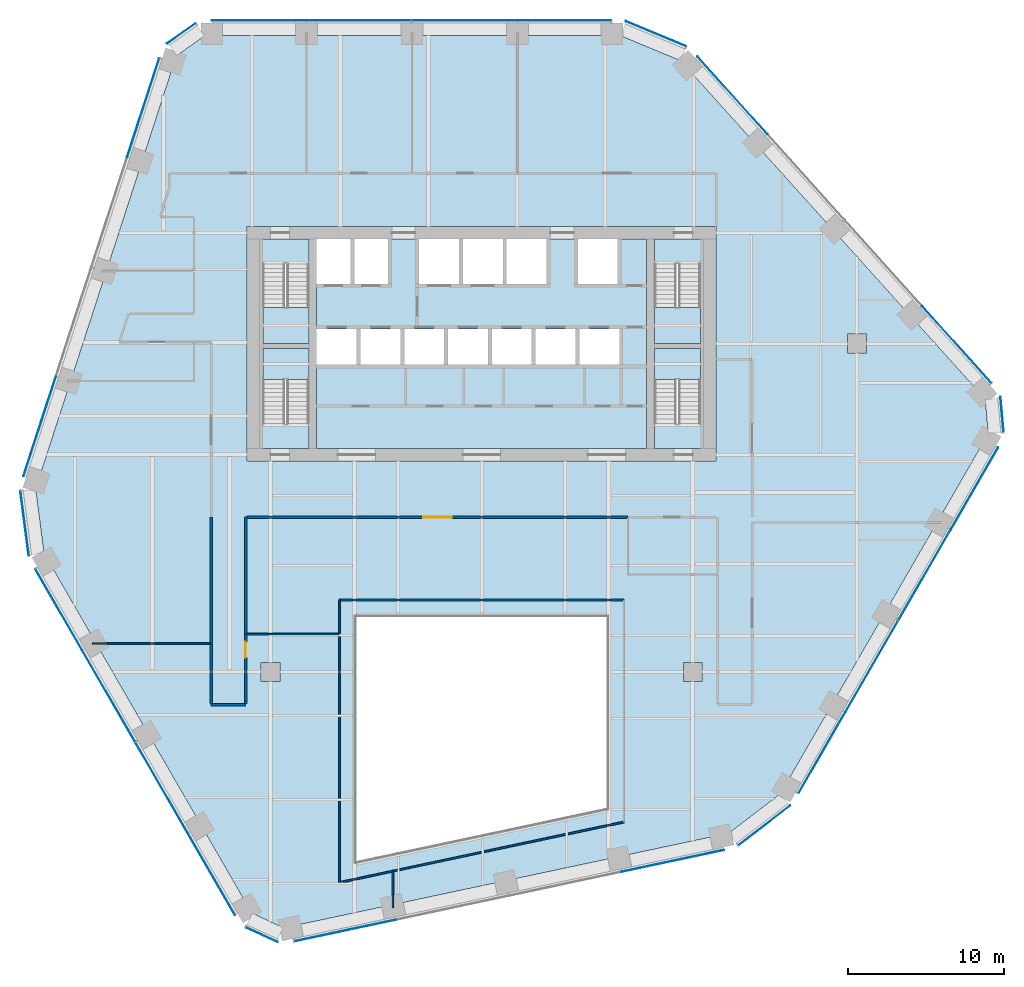
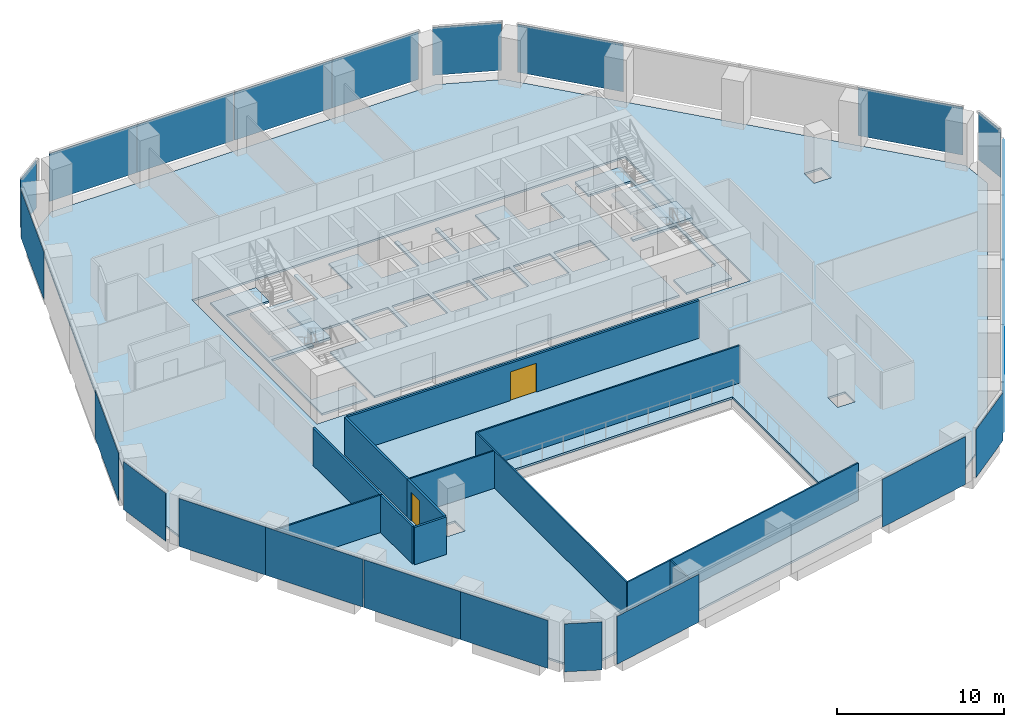
# One storey, part 10 of 16: 24 plates, 12 walls, 8 slabs, 2 doors, 2 openings, 16 elements without a shape of their own.
"""IFC4 building model written with IfcOpenShell, lengths in metres."""

from ifc_helpers import new_model, si_unit, direction, frame, frame_2d, origin, origin_2d, place, context, subcontext, project, spatial, polyline, rectangle, outline, extrude, material, layer, layer_set, type_object, element, fill, aggregate, save


model = new_model("IFC4")

# Units and contexts
model_context = context("Model", 3, precision=1e-05, world=origin(), true_north=direction((0.0, 1.0)))
body_context = subcontext(model_context, "Body", "Model", "MODEL_VIEW")
ifc_project = project(units=[si_unit("LENGTHUNIT", "METRE"), si_unit("AREAUNIT", "SQUARE_METRE"), si_unit("VOLUMEUNIT", "CUBIC_METRE"), si_unit("PLANEANGLEUNIT", "RADIAN"), si_unit("MASSUNIT", "GRAM", prefix="KILO")], contexts=[model_context])

# Site, building, storey
site_placement = place(None, origin())
site = spatial("IfcSite", under=ifc_project, at=site_placement, CompositionType="ELEMENT")
building_placement = place(site_placement, origin())
building = spatial("IfcBuilding", under=site, at=building_placement, Name="Isthmus Gate Tower", CompositionType="ELEMENT")
storey_placement = place(building_placement, frame((0.0, 0.0, 148.050048828125)))
storey = spatial("IfcBuildingStorey", under=building, at=storey_placement, Name="L36", CompositionType="ELEMENT", Elevation=148.050048828125)

# Slabs
ifc_material_1 = material(Name="Concrete f'c 40 MPa", Category="concrete")
ifc_layer_1 = layer(ifc_material_1, 0.14990234375)
ifc_layer_set_1 = layer_set([ifc_layer_1], Name="COMPOSITE FLOOR SLAB 150")
slab_type_1 = type_object("IfcSlabType", Name="COMPOSITE FLOOR SLAB 150", PredefinedType="FLOOR", material=ifc_layer_set_1)
slab_1_placement = place(storey_placement, frame((0.0, 0.0, -0.150146484375)))
element("IfcSlab", 1, at=slab_1_placement, inside=storey, type_object=slab_type_1, Name="str-slab-L36-1", PredefinedType="FLOOR", context=body_context, shape_type="SweptSolid", body=[
    extrude(outline(polyline([(12.72802734375, 25.599365234375), (32.21044921875, 3.9619140625), (32.410400390625, 1.736083984375), (19.116455078125, -21.289306640625), (15.8056640625, -23.822509765625), (-12.674072265625, -29.876220703125), (-14.701416015625, -28.936279296875), (-27.995361328125, -5.91064453125), (-28.53369140625, -1.77685546875), (-19.536376953125, 25.9140625), (-17.708740234375, 27.199951171875), (8.87890625, 27.199951171875), (12.72802734375, 25.599365234375)]), holes=[polyline([(-8.0, -10.0), (-8.0, -25.611083984375), (8.0, -22.210205078125), (8.0, -10.0), (-8.0, -10.0)]), polyline([(-14.10009765625, -12.89990234375), (-14.10009765625, -14.10009765625), (-12.89990234375, -14.10009765625), (-12.89990234375, -12.89990234375), (-14.10009765625, -12.89990234375)]), polyline([(14.10009765625, -12.89990234375), (12.89990234375, -12.89990234375), (12.89990234375, -14.10009765625), (14.10009765625, -14.10009765625), (14.10009765625, -12.89990234375)]), polyline([(-15.0, 15.0), (-15.0, 0.0), (15.0, 0.0), (15.0, 15.0), (-15.0, 15.0)]), polyline([(24.60009765625, 6.89990234375), (24.60009765625, 8.10009765625), (23.39990234375, 8.10009765625), (23.39990234375, 6.89990234375), (24.60009765625, 6.89990234375)])]), origin(), (0.0, 0.0, 1.0), 0.150146484375),
])
ifc_material_2 = material(Name="Concrete f'c 40 MPa", Category="concrete")
ifc_layer_2 = layer(ifc_material_2, 0.14990234375)
ifc_layer_set_2 = layer_set([ifc_layer_2], Name="CORE FLOOR SLAB 150")
slab_type_2 = type_object("IfcSlabType", Name="CORE FLOOR SLAB 150", PredefinedType="FLOOR", material=ifc_layer_set_2)
slab_2_placement = place(storey_placement, frame((0.0, 0.0, -0.150146484375)))
element("IfcSlab", 2, at=slab_2_placement, inside=storey, type_object=slab_type_2, Name="L36 core floor", PredefinedType="FLOOR", context=body_context, shape_type="SweptSolid", body=[
    extrude(outline(polyline([(-11.050048828125, 0.800048828125), (-11.050048828125, 2.402099609375), (-14.0, 2.402099609375), (-14.0, 7.199951171875), (-11.050048828125, 7.199951171875), (-11.050048828125, 7.5), (-14.0, 7.5), (-14.0, 12.597900390625), (-11.050048828125, 12.597900390625), (-11.050048828125, 14.199951171875), (-14.199951171875, 14.199951171875), (-14.199951171875, 0.800048828125), (-11.050048828125, 0.800048828125)])), origin(), (0.0, 0.0, 1.0), 0.150146484375),
])
slab_3_placement = place(storey_placement, frame((0.0, 0.0, -0.150146484375)))
element("IfcSlab", 3, at=slab_3_placement, inside=storey, type_object=slab_type_2, Name="L36 core floor", PredefinedType="FLOOR", context=body_context, shape_type="SweptSolid", body=[
    extrude(outline(polyline([(10.550048828125, 14.199951171875), (8.699951171875, 14.199951171875), (8.699951171875, 11.300048828125), (6.14990234375, 11.300048828125), (6.14990234375, 14.199951171875), (4.14990234375, 14.199951171875), (4.14990234375, 11.300048828125), (1.60009765625, 11.300048828125), (1.60009765625, 14.199951171875), (1.35009765625, 14.199951171875), (1.35009765625, 11.300048828125), (-1.199951171875, 11.300048828125), (-1.199951171875, 14.199951171875), (-1.449951171875, 14.199951171875), (-1.449951171875, 11.300048828125), (-4.0, 11.300048828125), (-4.0, 14.199951171875), (-6.0, 14.199951171875), (-6.0, 11.300048828125), (-8.14990234375, 11.300048828125), (-8.14990234375, 14.199951171875), (-8.39990234375, 14.199951171875), (-8.39990234375, 11.300048828125), (-10.550048828125, 11.300048828125), (-10.550048828125, 8.449951171875), (-8.0, 8.449951171875), (-8.0, 6.14990234375), (-10.550048828125, 6.14990234375), (-10.550048828125, 0.800048828125), (10.550048828125, 0.800048828125), (10.550048828125, 14.199951171875)]), holes=[polyline([(-5.199951171875, 8.449951171875), (-5.199951171875, 6.14990234375), (-7.75, 6.14990234375), (-7.75, 8.449951171875), (-5.199951171875, 8.449951171875)]), polyline([(-2.39990234375, 8.449951171875), (-2.39990234375, 6.14990234375), (-4.949951171875, 6.14990234375), (-4.949951171875, 8.449951171875), (-2.39990234375, 8.449951171875)]), polyline([(0.39990234375, 8.449951171875), (0.39990234375, 6.14990234375), (-2.14990234375, 6.14990234375), (-2.14990234375, 8.449951171875), (0.39990234375, 8.449951171875)]), polyline([(3.199951171875, 8.449951171875), (3.199951171875, 6.14990234375), (0.64990234375, 6.14990234375), (0.64990234375, 8.449951171875), (3.199951171875, 8.449951171875)]), polyline([(6.0, 8.449951171875), (6.0, 6.14990234375), (3.449951171875, 6.14990234375), (3.449951171875, 8.449951171875), (6.0, 8.449951171875)]), polyline([(8.800048828125, 8.449951171875), (8.800048828125, 6.14990234375), (6.25, 6.14990234375), (6.25, 8.449951171875), (8.800048828125, 8.449951171875)])]), origin(), (0.0, 0.0, 1.0), 0.150146484375),
])
slab_4_placement = place(storey_placement, frame((0.0, 0.0, -0.150146484375)))
element("IfcSlab", 4, at=slab_4_placement, inside=storey, type_object=slab_type_2, Name="L36 core floor", PredefinedType="FLOOR", context=body_context, shape_type="SweptSolid", body=[
    extrude(outline(polyline([(11.050048828125, 14.199951171875), (11.050048828125, 12.597900390625), (14.0, 12.597900390625), (14.0, 7.5), (11.050048828125, 7.5), (11.050048828125, 7.199951171875), (14.0, 7.199951171875), (14.0, 2.402099609375), (11.050048828125, 2.402099609375), (11.050048828125, 0.800048828125), (14.199951171875, 0.800048828125), (14.199951171875, 14.199951171875), (11.050048828125, 14.199951171875)])), origin(), (0.0, 0.0, 1.0), 0.150146484375),
])

# Curtain wall, plates
ifc_material_3 = material(Name="Aluminium, pale champagne anodised", Category="aluminium")
ifc_layer_3 = layer(ifc_material_3, 0.199951171875)
ifc_layer_set_3 = layer_set([ifc_layer_3], Name="CW-1 UNITISED CURTAIN WALL 200 DEEP")
curtain_wall_type = type_object("IfcCurtainWallType", Name="CW-1 UNITISED CURTAIN WALL 200 DEEP", PredefinedType="NOTDEFINED", material=ifc_layer_set_3)
curtain_wall_1_placement = place(storey_placement, origin())
curtain_wall_1 = element("IfcCurtainWall", 5, at=curtain_wall_1_placement, inside=storey, type_object=curtain_wall_type, Name="CW-1 N L36", PredefinedType="NOTDEFINED")
ifc_material_4 = material(Name="Laminated low-iron glass, pale blue tint", Category="glass")
ifc_layer_4 = layer(ifc_material_4, 0.035888671875)
ifc_layer_set_4 = layer_set([ifc_layer_4], Name="CW-1 CLEAR GLASS LITE 36")
plate_type = type_object("IfcPlateType", Name="CW-1 CLEAR GLASS LITE 36", PredefinedType="CURTAIN_PANEL", material=ifc_layer_set_4)
plate_1_placement = place(storey_placement, frame((5.283447265625, 28.181884765625, 0.0), z_axis=(0.0, 0.0, 1.0), x_axis=(-1.0, 0.0, 0.0)))
plate_1 = element("IfcPlate", 6, at=plate_1_placement, type_object=plate_type, Name="CW-1 glass lite", PredefinedType="CURTAIN_PANEL", context=body_context, shape_type="SweptSolid", body=[
    extrude(rectangle(XDim=5.990234375, YDim=0.035888671875, at=origin_2d()), origin(), (0.0, 0.0, 1.0), 3.510009765625),
])
plate_2_placement = place(storey_placement, frame((-1.086669921875, 28.181884765625, 0.0), z_axis=(0.0, 0.0, 1.0), x_axis=(-1.0, 0.0, 0.0)))
plate_2 = element("IfcPlate", 7, at=plate_2_placement, type_object=plate_type, Name="CW-1 glass lite", PredefinedType="CURTAIN_PANEL", context=body_context, shape_type="SweptSolid", body=[
    extrude(rectangle(XDim=6.750244140625, YDim=0.035888671875, at=origin_2d()), origin(), (0.0, 0.0, 1.0), 3.510009765625),
])
plate_3_placement = place(storey_placement, frame((-7.86669921875, 28.181884765625, 0.0), z_axis=(0.0, 0.0, 1.0), x_axis=(-1.0, 0.0, 0.0)))
plate_3 = element("IfcPlate", 8, at=plate_3_placement, type_object=plate_type, Name="CW-1 glass lite", PredefinedType="CURTAIN_PANEL", context=body_context, shape_type="SweptSolid", body=[
    extrude(rectangle(XDim=6.690185546875, YDim=0.035888671875, at=origin_2d()), origin(), (0.0, 0.0, 1.0), 3.510009765625),
])
plate_4_placement = place(storey_placement, frame((-14.23681640625, 28.181884765625, 0.0), z_axis=(0.0, 0.0, 1.0), x_axis=(-1.0, 0.0, 0.0)))
plate_4 = element("IfcPlate", 9, at=plate_4_placement, type_object=plate_type, Name="CW-1 glass lite", PredefinedType="CURTAIN_PANEL", context=body_context, shape_type="SweptSolid", body=[
    extrude(rectangle(XDim=6.050048828125, YDim=0.035888671875, at=origin_2d()), origin(), (0.0, 0.0, 1.0), 3.510009765625),
])
aggregate(curtain_wall_1, [plate_1, plate_2, plate_3, plate_4])

# Curtain wall, plate
curtain_wall_2_placement = place(storey_placement, origin())
curtain_wall_2 = element("IfcCurtainWall", 10, at=curtain_wall_2_placement, inside=storey, type_object=curtain_wall_type, Name="CW-1 N-NW L36", PredefinedType="NOTDEFINED")
plate_5_placement = place(storey_placement, frame((-19.2119140625, 27.343017578125, 0.0), z_axis=(0.0, 0.0, 1.0), x_axis=(-0.81785959165, -0.57541783805, 0.0)))
plate_5 = element("IfcPlate", 11, at=plate_5_placement, type_object=plate_type, Name="CW-1 glass lite", PredefinedType="CURTAIN_PANEL", context=body_context, shape_type="SweptSolid", body=[
    extrude(rectangle(XDim=2.258544921875, YDim=0.035888671875, at=origin_2d()), origin(), (0.0, 0.0, 1.0), 3.510009765625),
])
aggregate(curtain_wall_2, [plate_5])

# Curtain wall, plates
curtain_wall_3_placement = place(storey_placement, origin())
curtain_wall_3 = element("IfcCurtainWall", 12, at=curtain_wall_3_placement, inside=storey, type_object=curtain_wall_type, Name="CW-1 NW L36", PredefinedType="NOTDEFINED")
plate_6_placement = place(storey_placement, frame((-21.647216796875, 22.59521484375, 0.0), z_axis=(0.0, 0.0, 1.0), x_axis=(-0.309016994375, -0.951056516295, 0.0)))
plate_6 = element("IfcPlate", 13, at=plate_6_placement, type_object=plate_type, Name="CW-1 glass lite", PredefinedType="CURTAIN_PANEL", context=body_context, shape_type="SweptSolid", body=[
    extrude(rectangle(XDim=6.630859375, YDim=0.035888671875, at=origin_2d()), origin(), (0.0, 0.0, 1.0), 3.510009765625),
])
plate_7_placement = place(storey_placement, frame((-28.2734375, 2.202392578125, 0.0), z_axis=(0.0, 0.0, 1.0), x_axis=(-0.309016994375, -0.951056516295, 0.0)))
plate_7 = element("IfcPlate", 14, at=plate_7_placement, type_object=plate_type, Name="CW-1 glass lite", PredefinedType="CURTAIN_PANEL", context=body_context, shape_type="SweptSolid", body=[
    extrude(rectangle(XDim=6.690673828125, YDim=0.035888671875, at=origin_2d()), origin(), (0.0, 0.0, 1.0), 3.510009765625),
])
aggregate(curtain_wall_3, [plate_6, plate_7])

# Curtain wall, plate
curtain_wall_4_placement = place(storey_placement, origin())
curtain_wall_4 = element("IfcCurtainWall", 15, at=curtain_wall_4_placement, inside=storey, type_object=curtain_wall_type, Name="CW-1 NW-SW L36", PredefinedType="NOTDEFINED")
plate_8_placement = place(storey_placement, frame((-29.234619140625, -3.9990234375, 0.0), z_axis=(0.0, 0.0, 1.0), x_axis=(0.129164534, -0.991623175988, 0.0)))
plate_8 = element("IfcPlate", 16, at=plate_8_placement, type_object=plate_type, Name="CW-1 glass lite", PredefinedType="CURTAIN_PANEL", context=body_context, shape_type="SweptSolid", body=[
    extrude(rectangle(XDim=4.181396484375, YDim=0.035888671875, at=origin_2d()), origin(), (0.0, 0.0, 1.0), 3.510009765625),
])
aggregate(curtain_wall_4, [plate_8])

# Curtain wall, plates
curtain_wall_5_placement = place(storey_placement, origin())
curtain_wall_5 = element("IfcCurtainWall", 17, at=curtain_wall_5_placement, inside=storey, type_object=curtain_wall_type, Name="CW-1 SW L36", PredefinedType="NOTDEFINED")
plate_9_placement = place(storey_placement, frame((-27.048095703125, -9.515380859375, 0.0), z_axis=(0.0, 0.0, 1.0), x_axis=(0.5, -0.866025403784, 0.0)))
plate_9 = element("IfcPlate", 18, at=plate_9_placement, type_object=plate_type, Name="CW-1 glass lite", PredefinedType="CURTAIN_PANEL", context=body_context, shape_type="SweptSolid", body=[
    extrude(rectangle(XDim=5.990234375, YDim=0.035888671875, at=origin_2d()), origin(), (0.0, 0.0, 1.0), 3.510009765625),
])
plate_10_placement = place(storey_placement, frame((-23.863037109375, -15.031982421875, 0.0), z_axis=(0.0, 0.0, 1.0), x_axis=(0.5, -0.866025403784, 0.0)))
plate_10 = element("IfcPlate", 19, at=plate_10_placement, type_object=plate_type, Name="CW-1 glass lite", PredefinedType="CURTAIN_PANEL", context=body_context, shape_type="SweptSolid", body=[
    extrude(rectangle(XDim=6.750244140625, YDim=0.035888671875, at=origin_2d()), origin(), (0.0, 0.0, 1.0), 3.510009765625),
])
plate_11_placement = place(storey_placement, frame((-20.472900390625, -20.90380859375, 0.0), z_axis=(0.0, 0.0, 1.0), x_axis=(0.5, -0.866025403784, 0.0)))
plate_11 = element("IfcPlate", 20, at=plate_11_placement, type_object=plate_type, Name="CW-1 glass lite", PredefinedType="CURTAIN_PANEL", context=body_context, shape_type="SweptSolid", body=[
    extrude(rectangle(XDim=6.690185546875, YDim=0.035888671875, at=origin_2d()), origin(), (0.0, 0.0, 1.0), 3.510009765625),
])
plate_12_placement = place(storey_placement, frame((-17.287841796875, -26.42041015625, 0.0), z_axis=(0.0, 0.0, 1.0), x_axis=(0.5, -0.866025403784, 0.0)))
plate_12 = element("IfcPlate", 21, at=plate_12_placement, type_object=plate_type, Name="CW-1 glass lite", PredefinedType="CURTAIN_PANEL", context=body_context, shape_type="SweptSolid", body=[
    extrude(rectangle(XDim=6.050048828125, YDim=0.035888671875, at=origin_2d()), origin(), (0.0, 0.0, 1.0), 3.510009765625),
])
aggregate(curtain_wall_5, [plate_9, plate_10, plate_11, plate_12])

# Curtain wall, plate
curtain_wall_6_placement = place(storey_placement, origin())
curtain_wall_6 = element("IfcCurtainWall", 22, at=curtain_wall_6_placement, inside=storey, type_object=curtain_wall_type, Name="CW-1 SW-S L36", PredefinedType="NOTDEFINED")
plate_13_placement = place(storey_placement, frame((-14.07373046875, -30.3095703125, 0.0), z_axis=(0.0, 0.0, 1.0), x_axis=(0.907256261367, -0.420578264073, 0.0)))
plate_13 = element("IfcPlate", 23, at=plate_13_placement, type_object=plate_type, Name="CW-1 glass lite", PredefinedType="CURTAIN_PANEL", context=body_context, shape_type="SweptSolid", body=[
    extrude(rectangle(XDim=2.258544921875, YDim=0.035888671875, at=origin_2d()), origin(), (0.0, 0.0, 1.0), 3.510009765625),
])
aggregate(curtain_wall_6, [plate_13])

# Curtain wall, plates
curtain_wall_7_placement = place(storey_placement, origin())
curtain_wall_7 = element("IfcCurtainWall", 24, at=curtain_wall_7_placement, inside=storey, type_object=curtain_wall_type, Name="CW-1 S L36", PredefinedType="NOTDEFINED")
plate_14_placement = place(storey_placement, frame((-8.744384765625, -30.044677734375, 0.0), z_axis=(0.0, 0.0, 1.0), x_axis=(0.978147600734, 0.207911690818, 0.0)))
plate_14 = element("IfcPlate", 25, at=plate_14_placement, type_object=plate_type, Name="CW-1 glass lite", PredefinedType="CURTAIN_PANEL", context=body_context, shape_type="SweptSolid", body=[
    extrude(rectangle(XDim=6.630859375, YDim=0.035888671875, at=origin_2d()), origin(), (0.0, 0.0, 1.0), 3.510009765625),
])
plate_15_placement = place(storey_placement, frame((12.2294921875, -25.586669921875, 0.0), z_axis=(0.0, 0.0, 1.0), x_axis=(0.978147600734, 0.207911690818, 0.0)))
plate_15 = element("IfcPlate", 26, at=plate_15_placement, type_object=plate_type, Name="CW-1 glass lite", PredefinedType="CURTAIN_PANEL", context=body_context, shape_type="SweptSolid", body=[
    extrude(rectangle(XDim=6.690673828125, YDim=0.035888671875, at=origin_2d()), origin(), (0.0, 0.0, 1.0), 3.510009765625),
])
aggregate(curtain_wall_7, [plate_14, plate_15])

# Curtain wall, plate
curtain_wall_8_placement = place(storey_placement, origin())
curtain_wall_8 = element("IfcCurtainWall", 27, at=curtain_wall_8_placement, inside=storey, type_object=curtain_wall_type, Name="CW-1 S-SE L36", PredefinedType="NOTDEFINED")
plate_16_placement = place(storey_placement, frame((18.08056640625, -23.318359375, 0.0), z_axis=(0.0, 0.0, 1.0), x_axis=(0.794188594387, 0.607671355706, 0.0)))
plate_16 = element("IfcPlate", 28, at=plate_16_placement, type_object=plate_type, Name="CW-1 glass lite", PredefinedType="CURTAIN_PANEL", context=body_context, shape_type="SweptSolid", body=[
    extrude(rectangle(XDim=4.181396484375, YDim=0.035888671875, at=origin_2d()), origin(), (0.0, 0.0, 1.0), 3.510009765625),
])
aggregate(curtain_wall_8, [plate_16])

# Curtain wall, plates
curtain_wall_9_placement = place(storey_placement, origin())
curtain_wall_9 = element("IfcCurtainWall", 29, at=curtain_wall_9_placement, inside=storey, type_object=curtain_wall_type, Name="CW-1 SE L36", PredefinedType="NOTDEFINED")
plate_17_placement = place(storey_placement, frame((21.7646484375, -18.666748046875, 0.0), z_axis=(0.0, 0.0, 1.0), x_axis=(0.5, 0.866025403784, 0.0)))
plate_17 = element("IfcPlate", 30, at=plate_17_placement, type_object=plate_type, Name="CW-1 glass lite", PredefinedType="CURTAIN_PANEL", context=body_context, shape_type="SweptSolid", body=[
    extrude(rectangle(XDim=5.990234375, YDim=0.035888671875, at=origin_2d()), origin(), (0.0, 0.0, 1.0), 3.510009765625),
])
plate_18_placement = place(storey_placement, frame((24.94970703125, -13.14990234375, 0.0), z_axis=(0.0, 0.0, 1.0), x_axis=(0.5, 0.866025403784, 0.0)))
plate_18 = element("IfcPlate", 31, at=plate_18_placement, type_object=plate_type, Name="CW-1 glass lite", PredefinedType="CURTAIN_PANEL", context=body_context, shape_type="SweptSolid", body=[
    extrude(rectangle(XDim=6.750244140625, YDim=0.035888671875, at=origin_2d()), origin(), (0.0, 0.0, 1.0), 3.510009765625),
])
plate_19_placement = place(storey_placement, frame((28.339599609375, -7.278076171875, 0.0), z_axis=(0.0, 0.0, 1.0), x_axis=(0.5, 0.866025403784, 0.0)))
plate_19 = element("IfcPlate", 32, at=plate_19_placement, type_object=plate_type, Name="CW-1 glass lite", PredefinedType="CURTAIN_PANEL", context=body_context, shape_type="SweptSolid", body=[
    extrude(rectangle(XDim=6.690185546875, YDim=0.035888671875, at=origin_2d()), origin(), (0.0, 0.0, 1.0), 3.510009765625),
])
plate_20_placement = place(storey_placement, frame((31.524658203125, -1.761474609375, 0.0), z_axis=(0.0, 0.0, 1.0), x_axis=(0.5, 0.866025403784, 0.0)))
plate_20 = element("IfcPlate", 33, at=plate_20_placement, type_object=plate_type, Name="CW-1 glass lite", PredefinedType="CURTAIN_PANEL", context=body_context, shape_type="SweptSolid", body=[
    extrude(rectangle(XDim=6.050048828125, YDim=0.035888671875, at=origin_2d()), origin(), (0.0, 0.0, 1.0), 3.510009765625),
])
aggregate(curtain_wall_9, [plate_17, plate_18, plate_19, plate_20])

# Curtain wall, plate
curtain_wall_10_placement = place(storey_placement, origin())
curtain_wall_10 = element("IfcCurtainWall", 34, at=curtain_wall_10_placement, inside=storey, type_object=curtain_wall_type, Name="CW-1 SE-NE L36", PredefinedType="NOTDEFINED")
plate_21_placement = place(storey_placement, frame((33.285888671875, 2.966552734375, 0.0), z_axis=(0.0, 0.0, 1.0), x_axis=(-0.089396669717, 0.995996102123, 0.0)))
plate_21 = element("IfcPlate", 35, at=plate_21_placement, type_object=plate_type, Name="CW-1 glass lite", PredefinedType="CURTAIN_PANEL", context=body_context, shape_type="SweptSolid", body=[
    extrude(rectangle(XDim=2.258544921875, YDim=0.035888671875, at=origin_2d()), origin(), (0.0, 0.0, 1.0), 3.510009765625),
])
aggregate(curtain_wall_10, [plate_21])

# Curtain wall, plates
curtain_wall_11_placement = place(storey_placement, origin())
curtain_wall_11 = element("IfcCurtainWall", 36, at=curtain_wall_11_placement, inside=storey, type_object=curtain_wall_type, Name="CW-1 NE L36", PredefinedType="NOTDEFINED")
plate_22_placement = place(storey_placement, frame((30.3916015625, 7.449462890625, 0.0), z_axis=(0.0, 0.0, 1.0), x_axis=(-0.669130606359, 0.743144825477, 0.0)))
plate_22 = element("IfcPlate", 37, at=plate_22_placement, type_object=plate_type, Name="CW-1 glass lite", PredefinedType="CURTAIN_PANEL", context=body_context, shape_type="SweptSolid", body=[
    extrude(rectangle(XDim=6.630859375, YDim=0.035888671875, at=origin_2d()), origin(), (0.0, 0.0, 1.0), 3.510009765625),
])
plate_23_placement = place(storey_placement, frame((16.0439453125, 23.38427734375, 0.0), z_axis=(0.0, 0.0, 1.0), x_axis=(-0.669130606359, 0.743144825477, 0.0)))
plate_23 = element("IfcPlate", 38, at=plate_23_placement, type_object=plate_type, Name="CW-1 glass lite", PredefinedType="CURTAIN_PANEL", context=body_context, shape_type="SweptSolid", body=[
    extrude(rectangle(XDim=6.690673828125, YDim=0.035888671875, at=origin_2d()), origin(), (0.0, 0.0, 1.0), 3.510009765625),
])
aggregate(curtain_wall_11, [plate_22, plate_23])

# Curtain wall, plate
curtain_wall_12_placement = place(storey_placement, origin())
curtain_wall_12 = element("IfcCurtainWall", 39, at=curtain_wall_12_placement, inside=storey, type_object=curtain_wall_type, Name="CW-1 NE-N L36", PredefinedType="NOTDEFINED")
plate_24_placement = place(storey_placement, frame((11.154052734375, 27.3173828125, 0.0), z_axis=(0.0, 0.0, 1.0), x_axis=(-0.923353128387, 0.383951820282, 0.0)))
plate_24 = element("IfcPlate", 40, at=plate_24_placement, type_object=plate_type, Name="CW-1 glass lite", PredefinedType="CURTAIN_PANEL", context=body_context, shape_type="SweptSolid", body=[
    extrude(rectangle(XDim=4.181396484375, YDim=0.035888671875, at=origin_2d()), origin(), (0.0, 0.0, 1.0), 3.510009765625),
])
aggregate(curtain_wall_12, [plate_24])

# Stair, slab
ifc_material_5 = material(Name="Concrete f'c 40 MPa", Category="concrete")
stair_type = type_object("IfcStairType", Name="CORE STAIR 22 RISERS", PredefinedType="HALF_TURN_STAIR", material=ifc_material_5)
stair_1_placement = place(storey_placement, origin())
stair_1 = element("IfcStair", 41, at=stair_1_placement, inside=storey, type_object=stair_type, Name="L36 Exit Stair 1", PredefinedType="HALF_TURN_STAIR")
ifc_material_6 = material(Name="Concrete f'c 40 MPa", Category="concrete")
ifc_layer_5 = layer(ifc_material_6, 0.199951171875)
ifc_layer_set_5 = layer_set([ifc_layer_5])
slab_type_3 = type_object("IfcSlabType", Name="STAIR LANDING RC 200", PredefinedType="LANDING", material=ifc_layer_set_5)
slab_5_placement = place(storey_placement, frame((0.0, 0.0, 1.625)))
slab_5 = element("IfcSlab", 42, at=slab_5_placement, type_object=slab_type_3, Name="ST1 landing 1", PredefinedType="LANDING", context=body_context, shape_type="SweptSolid", body=[
    extrude(outline(polyline([(-14.0, 9.800048828125), (-14.0, 7.5), (-11.050048828125, 7.5), (-11.050048828125, 9.800048828125), (-14.0, 9.800048828125)])), origin(), (0.0, 0.0, 1.0), 0.199951171875),
])
aggregate(stair_1, [slab_5])

stair_2_placement = place(storey_placement, origin())
stair_2 = element("IfcStair", 43, at=stair_2_placement, inside=storey, type_object=stair_type, Name="L36 Exit Stair 2", PredefinedType="HALF_TURN_STAIR")
slab_6_placement = place(storey_placement, frame((0.0, 0.0, 1.625)))
slab_6 = element("IfcSlab", 44, at=slab_6_placement, type_object=slab_type_3, Name="ST2 landing 1", PredefinedType="LANDING", context=body_context, shape_type="SweptSolid", body=[
    extrude(outline(polyline([(11.050048828125, 9.800048828125), (11.050048828125, 7.5), (14.0, 7.5), (14.0, 9.800048828125), (11.050048828125, 9.800048828125)])), origin(), (0.0, 0.0, 1.0), 0.199951171875),
])
aggregate(stair_2, [slab_6])

stair_3_placement = place(storey_placement, origin())
stair_3 = element("IfcStair", 45, at=stair_3_placement, inside=storey, type_object=stair_type, Name="L36 Exit Stair 7", PredefinedType="HALF_TURN_STAIR")
slab_7_placement = place(storey_placement, frame((0.0, 0.0, 1.625)))
slab_7 = element("IfcSlab", 46, at=slab_7_placement, type_object=slab_type_3, Name="ST7 landing 1", PredefinedType="LANDING", context=body_context, shape_type="SweptSolid", body=[
    extrude(outline(polyline([(-11.050048828125, 5.199951171875), (-11.050048828125, 7.199951171875), (-14.0, 7.199951171875), (-14.0, 5.199951171875), (-11.050048828125, 5.199951171875)])), origin(), (0.0, 0.0, 1.0), 0.199951171875),
])
aggregate(stair_3, [slab_7])

stair_4_placement = place(storey_placement, origin())
stair_4 = element("IfcStair", 47, at=stair_4_placement, inside=storey, type_object=stair_type, Name="L36 Exit Stair 8", PredefinedType="HALF_TURN_STAIR")
slab_8_placement = place(storey_placement, frame((0.0, 0.0, 1.625)))
slab_8 = element("IfcSlab", 48, at=slab_8_placement, type_object=slab_type_3, Name="ST8 landing 1", PredefinedType="LANDING", context=body_context, shape_type="SweptSolid", body=[
    extrude(outline(polyline([(14.0, 5.199951171875), (14.0, 7.199951171875), (11.050048828125, 7.199951171875), (11.050048828125, 5.199951171875), (14.0, 5.199951171875)])), origin(), (0.0, 0.0, 1.0), 0.199951171875),
])
aggregate(stair_4, [slab_8])

# Walls
ifc_material_7 = material(Name="Fire-rated laminated glass in steel frame", Category="steel")
ifc_layer_6 = layer(ifc_material_7, 0.10009765625)
ifc_layer_set_6 = layer_set([ifc_layer_6], Name="ATRIUM SCREEN GLAZED WALL 100 120 MIN")
wall_type_1 = type_object("IfcWallType", Name="ATRIUM SCREEN GLAZED WALL 100 120 MIN", PredefinedType="PARTITIONING", material=ifc_layer_set_6)
wall_1_placement = place(storey_placement, frame((-9.10009765625, -8.89990234375, 0.0), z_axis=(0.0, 0.0, 1.0), x_axis=(1.0, 0.0, 0.0)))
element("IfcWall", 49, at=wall_1_placement, inside=storey, type_object=wall_type_1, Name="L36 atrium screen", PredefinedType="PARTITIONING", context=body_context, shape_type="SweptSolid", body=[
    extrude(rectangle(XDim=18.2001953125, YDim=0.10009765625, at=frame_2d((9.10009765625, 0.0))), origin(), (0.0, 0.0, 1.0), 2.7412109375),
])
wall_2_placement = place(storey_placement, frame((9.10009765625, -23.100830078125, 0.0), z_axis=(0.0, 0.0, 1.0), x_axis=(-0.978146710971, -0.207915876778, 0.0)))
element("IfcWall", 50, at=wall_2_placement, inside=storey, type_object=wall_type_1, Name="L36 atrium screen", PredefinedType="PARTITIONING", context=body_context, shape_type="SweptSolid", body=[
    extrude(rectangle(XDim=18.60693359375, YDim=0.10009765625, at=frame_2d((9.303466796875, 0.0))), origin(), (0.0, 0.0, 1.0), 2.7412109375),
])
wall_3_placement = place(storey_placement, frame((-9.10009765625, -26.969482421875, 0.0), z_axis=(0.0, 0.0, 1.0), x_axis=(0.0, 1.0, 0.0)))
element("IfcWall", 51, at=wall_3_placement, inside=storey, type_object=wall_type_1, Name="L36 atrium screen", PredefinedType="PARTITIONING", context=body_context, shape_type="SweptSolid", body=[
    extrude(rectangle(XDim=18.069580078125, YDim=0.10009765625, at=frame_2d((9.03466796875, 0.0))), origin(), (0.0, 0.0, 1.0), 2.7412109375),
])

# Wall, opening, door
ifc_material_8 = material(Name="Gypsum board on steel studs, fire-rated", Category="steel")
ifc_layer_7 = layer(ifc_material_8, 0.14990234375)
ifc_layer_set_7 = layer_set([ifc_layer_7], Name="CORRIDOR WALL 150 60 MIN")
wall_type_2 = type_object("IfcWallType", Name="CORRIDOR WALL 150 60 MIN", PredefinedType="PARTITIONING", material=ifc_layer_set_7)
wall_4_placement = place(storey_placement, frame((9.35009765625, -3.60009765625, 0.0), z_axis=(0.0, 0.0, 1.0), x_axis=(-1.0, 0.0, 0.0)))
wall_4 = element("IfcWall", 52, at=wall_4_placement, inside=storey, type_object=wall_type_2, Name="L36 Corridor Wall 150 60 Min", PredefinedType="PARTITIONING", context=body_context, shape_type="SweptSolid", body=[
    extrude(rectangle(XDim=24.35009765625, YDim=0.14990234375, at=frame_2d((12.175048828125, 0.0))), origin(), (0.0, 0.0, 1.0), 2.7412109375),
])
opening_1_placement = place(wall_4_placement, frame((11.27490234375, 0.0, 0.0)))
opening_1 = element("IfcOpeningElement", 53, at=opening_1_placement, cuts=wall_4, Name="Opening DT-T3C-09", PredefinedType="OPENING", context=body_context, shape_type="SweptSolid", body=[
    extrude(rectangle(XDim=1.800048828125, YDim=2.10009765625, at=frame_2d((0.89990234375, 1.050048828125))), frame((0.0, 0.0849609375, 0.0), z_axis=(0.0, -1.0, 0.0), x_axis=(1.0, 0.0, 0.0)), (0.0, 0.0, 1.0), 0.169921875),
])
ifc_material_9 = material(Name="Solid core timber door leaf, fire-rated", Category="wood")
door_type_1 = type_object("IfcDoorType", Name="FIRE DOOR ROOM 1800 X 2100 60 MIN", OperationType="DOUBLE_DOOR_DOUBLE_SWING", PredefinedType="DOOR", material=ifc_material_9)
door_1_placement = place(opening_1_placement, origin())
door_1 = element("IfcDoor", 54, at=door_1_placement, inside=storey, type_object=door_type_1, Name="L36 room door", OperationType="DOUBLE_DOOR_DOUBLE_SWING", OverallHeight=2.10009765625, OverallWidth=1.800048828125, PredefinedType="DOOR", context=body_context, shape_type="SweptSolid", body=[
    extrude(rectangle(XDim=1.800048828125, YDim=2.10009765625, at=frame_2d((0.89990234375, 1.050048828125))), frame((0.0, 0.02490234375, 0.0), z_axis=(0.0, -1.0, 0.0), x_axis=(1.0, 0.0, 0.0)), (0.0, 0.0, 1.0), 0.050048828125),
])
fill(opening_1, door_1)

# Walls
wall_5_placement = place(storey_placement, frame((-15.10009765625, -3.60009765625, 0.0), z_axis=(0.0, 0.0, 1.0), x_axis=(0.0, -1.0, 0.0)))
element("IfcWall", 55, at=wall_5_placement, inside=storey, type_object=wall_type_2, Name="L36 Corridor Wall 150 60 Min", PredefinedType="PARTITIONING", context=body_context, shape_type="SweptSolid", body=[
    extrude(rectangle(XDim=7.47998046875, YDim=0.14990234375, at=frame_2d((3.739990234375, 0.0))), origin(), (0.0, 0.0, 1.0), 2.7412109375),
])
wall_6_placement = place(storey_placement, frame((-15.10009765625, -15.60009765625, 0.0), z_axis=(0.0, 0.0, 1.0), x_axis=(-1.0, 0.0, 0.0)))
element("IfcWall", 56, at=wall_6_placement, inside=storey, type_object=wall_type_2, Name="L36 Corridor Wall 150 60 Min", PredefinedType="PARTITIONING", context=body_context, shape_type="SweptSolid", body=[
    extrude(rectangle(XDim=2.199951171875, YDim=0.14990234375, at=frame_2d((1.10009765625, 0.0))), origin(), (0.0, 0.0, 1.0), 2.7412109375),
])

# Wall, opening, door
wall_7_placement = place(storey_placement, frame((-15.10009765625, -11.080078125, 0.0), z_axis=(0.0, 0.0, 1.0), x_axis=(0.0, -1.0, 0.0)))
wall_7 = element("IfcWall", 57, at=wall_7_placement, inside=storey, type_object=wall_type_2, Name="L36 Corridor Wall 150 60 Min", PredefinedType="PARTITIONING", context=body_context, shape_type="SweptSolid", body=[
    extrude(rectangle(XDim=4.44482421875, YDim=0.14990234375, at=frame_2d((2.222412109375, 0.0))), origin(), (0.0, 0.0, 1.0), 2.7412109375),
])
opening_2_placement = place(wall_7_placement, frame((0.5, 0.0, 0.0)))
opening_2 = element("IfcOpeningElement", 58, at=opening_2_placement, cuts=wall_7, Name="Opening DT-T3C-11", PredefinedType="OPENING", context=body_context, shape_type="SweptSolid", body=[
    extrude(rectangle(XDim=1.0, YDim=2.10009765625, at=frame_2d((0.5, 1.050048828125))), frame((0.0, 0.0849609375, 0.0), z_axis=(0.0, -1.0, 0.0), x_axis=(1.0, 0.0, 0.0)), (0.0, 0.0, 1.0), 0.169921875),
])
ifc_material_10 = material(Name="Solid core timber door leaf, fire-rated", Category="wood")
door_type_2 = type_object("IfcDoorType", Name="FIRE DOOR ROOM 1000 X 2100 60 MIN", OperationType="SINGLE_SWING_LEFT", PredefinedType="DOOR", material=ifc_material_10)
door_2_placement = place(opening_2_placement, origin())
door_2 = element("IfcDoor", 59, at=door_2_placement, inside=storey, type_object=door_type_2, Name="L36 room door", OperationType="SINGLE_SWING_LEFT", OverallHeight=2.10009765625, OverallWidth=1.0, PredefinedType="DOOR", context=body_context, shape_type="SweptSolid", body=[
    extrude(rectangle(XDim=1.0, YDim=2.10009765625, at=frame_2d((0.5, 1.050048828125))), frame((0.0, 0.02490234375, 0.0), z_axis=(0.0, -1.0, 0.0), x_axis=(1.0, 0.0, 0.0)), (0.0, 0.0, 1.0), 0.050048828125),
])
fill(opening_2, door_2)

# Walls
wall_8_placement = place(storey_placement, frame((-17.300048828125, -11.66796875, 0.0), z_axis=(0.0, 0.0, 1.0), x_axis=(0.0, 1.0, 0.0)))
element("IfcWall", 60, at=wall_8_placement, inside=storey, type_object=wall_type_2, Name="L36 Corridor Wall 150 60 Min", PredefinedType="PARTITIONING", context=body_context, shape_type="SweptSolid", body=[
    extrude(rectangle(XDim=8.06591796875, YDim=0.14990234375, at=frame_2d((4.032958984375, 0.0))), origin(), (0.0, 0.0, 1.0), 2.7412109375),
])
wall_9_placement = place(storey_placement, frame((-17.300048828125, -15.52490234375, 0.0), z_axis=(0.0, 0.0, 1.0), x_axis=(0.0, 1.0, 0.0)))
element("IfcWall", 61, at=wall_9_placement, inside=storey, type_object=wall_type_2, Name="L36 Corridor Wall 150 60 Min", PredefinedType="PARTITIONING", context=body_context, shape_type="SweptSolid", body=[
    extrude(rectangle(XDim=3.806884765625, YDim=0.14990234375, at=frame_2d((1.9033203125, 0.0))), origin(), (0.0, 0.0, 1.0), 2.7412109375),
])
ifc_material_11 = material(Name="Gypsum board on steel studs, fire-rated", Category="steel")
ifc_layer_8 = layer(ifc_material_11, 0.10009765625)
ifc_layer_set_8 = layer_set([ifc_layer_8], Name="ROOM PARTITION 100 30 MIN")
wall_type_3 = type_object("IfcWallType", Name="ROOM PARTITION 100 30 MIN", PredefinedType="PARTITIONING", material=ifc_layer_set_8)
wall_10_placement = place(storey_placement, frame((-24.902099609375, -11.66796875, 0.0), z_axis=(0.0, 0.0, 1.0), x_axis=(1.0, 0.0, 0.0)))
element("IfcWall", 62, at=wall_10_placement, inside=storey, type_object=wall_type_3, Name="L36 Room Partition 100 30 Min", PredefinedType="PARTITIONING", context=body_context, shape_type="SweptSolid", body=[
    extrude(rectangle(XDim=7.527099609375, YDim=0.10009765625, at=frame_2d((3.763671875, 0.0))), origin(), (0.0, 0.0, 1.0), 2.7412109375),
])
wall_11_placement = place(storey_placement, frame((-15.02490234375, -11.080078125, 0.0), z_axis=(0.0, 0.0, 1.0), x_axis=(1.0, 0.0, 0.0)))
element("IfcWall", 63, at=wall_11_placement, inside=storey, type_object=wall_type_3, Name="L36 Room Partition 100 30 Min", PredefinedType="PARTITIONING", context=body_context, shape_type="SweptSolid", body=[
    extrude(rectangle(XDim=5.875, YDim=0.10009765625, at=frame_2d((2.9375, 0.0))), origin(), (0.0, 0.0, 1.0), 2.7412109375),
])
wall_12_placement = place(storey_placement, frame((-5.68505859375, -28.594970703125, 0.0), z_axis=(0.0, 0.0, 1.0), x_axis=(0.0, 1.0, 0.0)))
element("IfcWall", 64, at=wall_12_placement, inside=storey, type_object=wall_type_3, Name="L36 Room Partition 100 30 Min", PredefinedType="PARTITIONING", context=body_context, shape_type="SweptSolid", body=[
    extrude(rectangle(XDim=2.300048828125, YDim=0.10009765625, at=frame_2d((1.14990234375, 0.0))), origin(), (0.0, 0.0, 1.0), 2.7412109375),
])

save(model, "model.ifc")
